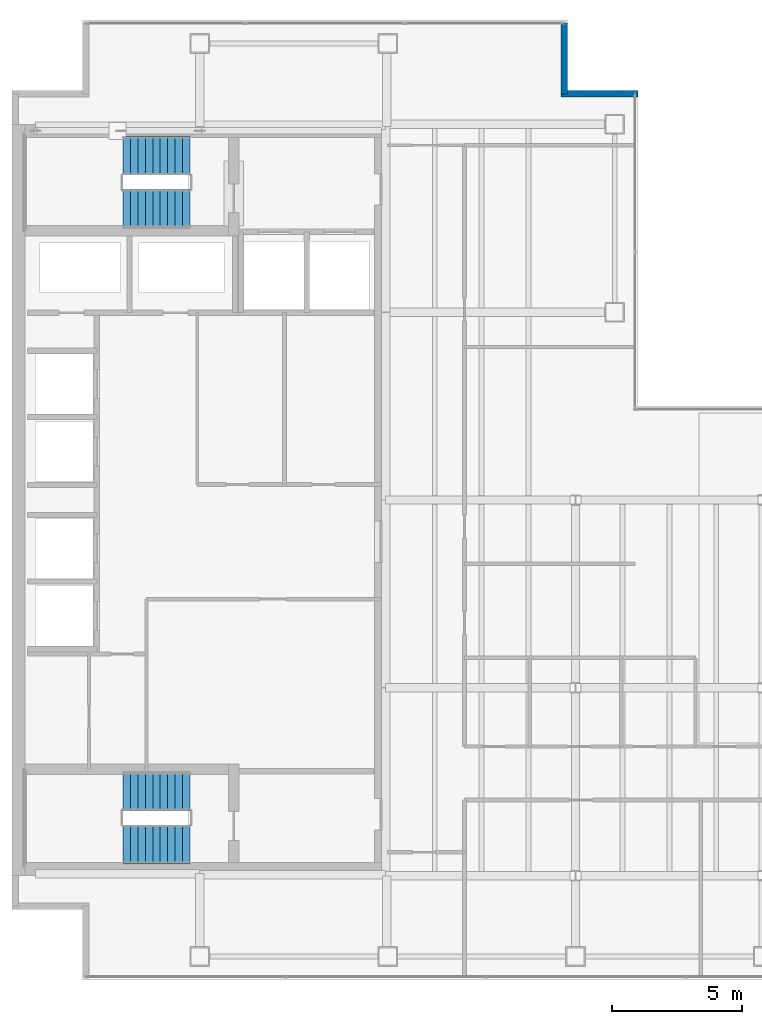
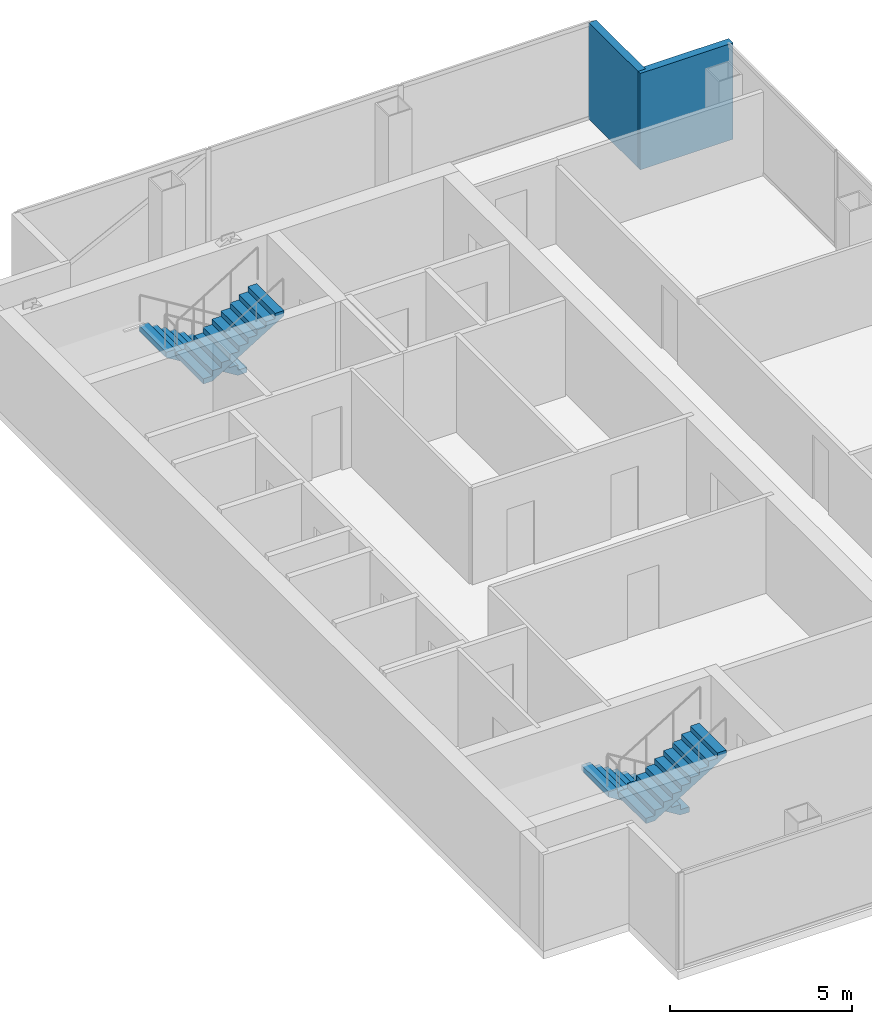
# One storey, part 22 of 23: 4 stair flights, 2 walls, 2 elements without a shape of their own.
"""IFC4 building model written with IfcOpenShell, lengths in metres."""

from ifc_helpers import new_model, si_unit, direction, frame, frame_2d, origin, place, context, subcontext, project, spatial, polyline, rectangle, outline, extrude, material, layer, layer_set, type_object, element, aggregate, save


model = new_model("IFC4")

# Units and contexts
model_context = context("Model", 3, precision=1e-05, world=origin(), true_north=direction((0.0, 1.0)))
body_context = subcontext(model_context, "Body", "Model", "MODEL_VIEW")
ifc_project = project(units=[si_unit("LENGTHUNIT", "METRE"), si_unit("AREAUNIT", "SQUARE_METRE"), si_unit("VOLUMEUNIT", "CUBIC_METRE"), si_unit("PLANEANGLEUNIT", "RADIAN"), si_unit("MASSUNIT", "GRAM", prefix="KILO")], contexts=[model_context])

# Site, building, storey
site_placement = place(None, origin())
site = spatial("IfcSite", under=ifc_project, at=site_placement, CompositionType="ELEMENT")
building_placement = place(site_placement, origin())
building = spatial("IfcBuilding", under=site, at=building_placement, Name="Cobrela Telecom Tower", CompositionType="ELEMENT")
storey_placement = place(building_placement, frame((0.0, 0.0, 225.75)))
storey = spatial("IfcBuildingStorey", under=building, at=storey_placement, Name="L58", CompositionType="ELEMENT", Elevation=225.75)

# Walls
ifc_material = material(Name="Concrete C40/50", Category="concrete")
ifc_layer = layer(ifc_material, 0.239990234375)
ifc_layer_set = layer_set([ifc_layer], Name="Concrete C40/50")
wall_type = type_object("IfcWallType", Name="WALL-EXT-300", PredefinedType="STANDARD", material=ifc_layer_set)
wall_1_placement = place(storey_placement, frame((21.169921875, 39.8798828125, 0.0), z_axis=(0.0, 0.0, 1.0), x_axis=(0.0, -1.0, 0.0)))
element("IfcWall", 1, at=wall_1_placement, inside=storey, type_object=wall_type, Name="L58 Insulated Facade Wall 08", PredefinedType="STANDARD", context=body_context, shape_type="SweptSolid", body=[
    extrude(rectangle(XDim=2.7099609375, YDim=0.239990234375, at=frame_2d((1.35498046875, 0.0))), origin(), (0.0, 0.0, 1.0), 3.239990234375),
])
wall_2_placement = place(storey_placement, frame((21.050048828125, 37.169921875, 0.0), z_axis=(0.0, 0.0, 1.0), x_axis=(1.0, 0.0, 0.0)))
element("IfcWall", 2, at=wall_2_placement, inside=storey, type_object=wall_type, Name="L58 Insulated Facade Wall 09", PredefinedType="STANDARD", context=body_context, shape_type="SweptSolid", body=[
    extrude(rectangle(XDim=2.949951171875, YDim=0.239990234375, at=frame_2d((1.47509765625, 0.0))), origin(), (0.0, 0.0, 1.0), 3.239990234375),
])

# Stair, stair flights
stair_type = type_object("IfcStairType", Name="STAIR-CORE", PredefinedType="HALF_TURN_STAIR", material=ifc_material)
stair_1_placement = place(storey_placement, origin())
stair_1 = element("IfcStair", 3, at=stair_1_placement, inside=storey, type_object=stair_type, Name="L58 Smokeproof Exit Stair ST1", PredefinedType="HALF_TURN_STAIR")
stair_flight_type = type_object("IfcStairFlightType", Name="FLIGHT-CORE", PredefinedType="STRAIGHT", material=ifc_material)
stair_flight_1_placement = place(storey_placement, frame((6.820068359375, 34.800048828125, 0.0), z_axis=(0.0, 0.0, 1.0), x_axis=(-1.0, 0.0, 0.0)))
stair_flight_1 = element("IfcStairFlight", 4, at=stair_flight_1_placement, type_object=stair_flight_type, Name="ST1 flight 1", NumberOfRisers=10, NumberOfTreads=9, PredefinedType="STRAIGHT", RiserHeight=0.175, TreadLength=0.285, context=body_context, shape_type="SweptSolid", body=[
    extrude(outline(polyline([(0.0, 0.0), (0.0, 0.175048828125), (0.284912109375, 0.175048828125), (0.284912109375, 0.35009765625), (0.570068359375, 0.35009765625), (0.570068359375, 0.52490234375), (0.85498046875, 0.52490234375), (0.85498046875, 0.699951171875), (1.139892578125, 0.699951171875), (1.139892578125, 0.875), (1.425048828125, 0.875), (1.425048828125, 1.050048828125), (1.7099609375, 1.050048828125), (1.7099609375, 1.22509765625), (1.9951171875, 1.22509765625), (1.9951171875, 1.39990234375), (2.280029296875, 1.39990234375), (2.280029296875, 1.574951171875), (2.56494140625, 1.574951171875), (2.56494140625, 1.75), (2.56494140625, 1.399169921875), (0.286376953125, 0.0), (0.0, 0.0)])), frame((0.0, 0.75, 0.0), z_axis=(0.0, -1.0, 0.0), x_axis=(1.0, 0.0, 0.0)), (0.0, 0.0, 1.0), 1.5),
])
stair_flight_2_placement = place(storey_placement, frame((4.2548828125, 32.75, 1.75), z_axis=(0.0, 0.0, 1.0), x_axis=(1.0, 0.0, 0.0)))
stair_flight_2 = element("IfcStairFlight", 5, at=stair_flight_2_placement, type_object=stair_flight_type, Name="ST1 flight 2", NumberOfRisers=10, NumberOfTreads=9, PredefinedType="STRAIGHT", RiserHeight=0.175, TreadLength=0.285, context=body_context, shape_type="SweptSolid", body=[
    extrude(outline(polyline([(0.0, 0.0), (0.0, 0.175048828125), (0.284912109375, 0.175048828125), (0.284912109375, 0.35009765625), (0.570068359375, 0.35009765625), (0.570068359375, 0.52490234375), (0.85498046875, 0.52490234375), (0.85498046875, 0.699951171875), (1.139892578125, 0.699951171875), (1.139892578125, 0.875), (1.425048828125, 0.875), (1.425048828125, 1.050048828125), (1.7099609375, 1.050048828125), (1.7099609375, 1.22509765625), (1.9951171875, 1.22509765625), (1.9951171875, 1.39990234375), (2.280029296875, 1.39990234375), (2.280029296875, 1.574951171875), (2.56494140625, 1.574951171875), (2.56494140625, 1.75), (2.56494140625, 1.399169921875), (0.286376953125, 0.0), (0.0, 0.0)])), frame((0.0, 0.75, 0.0), z_axis=(0.0, -1.0, 0.0), x_axis=(1.0, 0.0, 0.0)), (0.0, 0.0, 1.0), 1.5),
])
aggregate(stair_1, [stair_flight_1, stair_flight_2])

stair_2_placement = place(storey_placement, origin())
stair_2 = element("IfcStair", 6, at=stair_2_placement, inside=storey, type_object=stair_type, Name="L58 Smokeproof Exit Stair ST2", PredefinedType="HALF_TURN_STAIR")
stair_flight_3_placement = place(storey_placement, frame((6.820068359375, 10.449951171875, 0.0), z_axis=(0.0, 0.0, 1.0), x_axis=(-1.0, 0.0, 0.0)))
stair_flight_3 = element("IfcStairFlight", 7, at=stair_flight_3_placement, type_object=stair_flight_type, Name="ST2 flight 1", NumberOfRisers=10, NumberOfTreads=9, PredefinedType="STRAIGHT", RiserHeight=0.175, TreadLength=0.285, context=body_context, shape_type="SweptSolid", body=[
    extrude(outline(polyline([(0.0, 0.0), (0.0, 0.175048828125), (0.284912109375, 0.175048828125), (0.284912109375, 0.35009765625), (0.570068359375, 0.35009765625), (0.570068359375, 0.52490234375), (0.85498046875, 0.52490234375), (0.85498046875, 0.699951171875), (1.139892578125, 0.699951171875), (1.139892578125, 0.875), (1.425048828125, 0.875), (1.425048828125, 1.050048828125), (1.7099609375, 1.050048828125), (1.7099609375, 1.22509765625), (1.9951171875, 1.22509765625), (1.9951171875, 1.39990234375), (2.280029296875, 1.39990234375), (2.280029296875, 1.574951171875), (2.56494140625, 1.574951171875), (2.56494140625, 1.75), (2.56494140625, 1.399169921875), (0.286376953125, 0.0), (0.0, 0.0)])), frame((0.0, 0.75, 0.0), z_axis=(0.0, -1.0, 0.0), x_axis=(1.0, 0.0, 0.0)), (0.0, 0.0, 1.0), 1.5),
])
stair_flight_4_placement = place(storey_placement, frame((4.2548828125, 8.39990234375, 1.75), z_axis=(0.0, 0.0, 1.0), x_axis=(1.0, 0.0, 0.0)))
stair_flight_4 = element("IfcStairFlight", 8, at=stair_flight_4_placement, type_object=stair_flight_type, Name="ST2 flight 2", NumberOfRisers=10, NumberOfTreads=9, PredefinedType="STRAIGHT", RiserHeight=0.175, TreadLength=0.285, context=body_context, shape_type="SweptSolid", body=[
    extrude(outline(polyline([(0.0, 0.0), (0.0, 0.175048828125), (0.284912109375, 0.175048828125), (0.284912109375, 0.35009765625), (0.570068359375, 0.35009765625), (0.570068359375, 0.52490234375), (0.85498046875, 0.52490234375), (0.85498046875, 0.699951171875), (1.139892578125, 0.699951171875), (1.139892578125, 0.875), (1.425048828125, 0.875), (1.425048828125, 1.050048828125), (1.7099609375, 1.050048828125), (1.7099609375, 1.22509765625), (1.9951171875, 1.22509765625), (1.9951171875, 1.39990234375), (2.280029296875, 1.39990234375), (2.280029296875, 1.574951171875), (2.56494140625, 1.574951171875), (2.56494140625, 1.75), (2.56494140625, 1.399169921875), (0.286376953125, 0.0), (0.0, 0.0)])), frame((0.0, 0.75, 0.0), z_axis=(0.0, -1.0, 0.0), x_axis=(1.0, 0.0, 0.0)), (0.0, 0.0, 1.0), 1.5),
])
aggregate(stair_2, [stair_flight_3, stair_flight_4])

save(model, "model.ifc")
